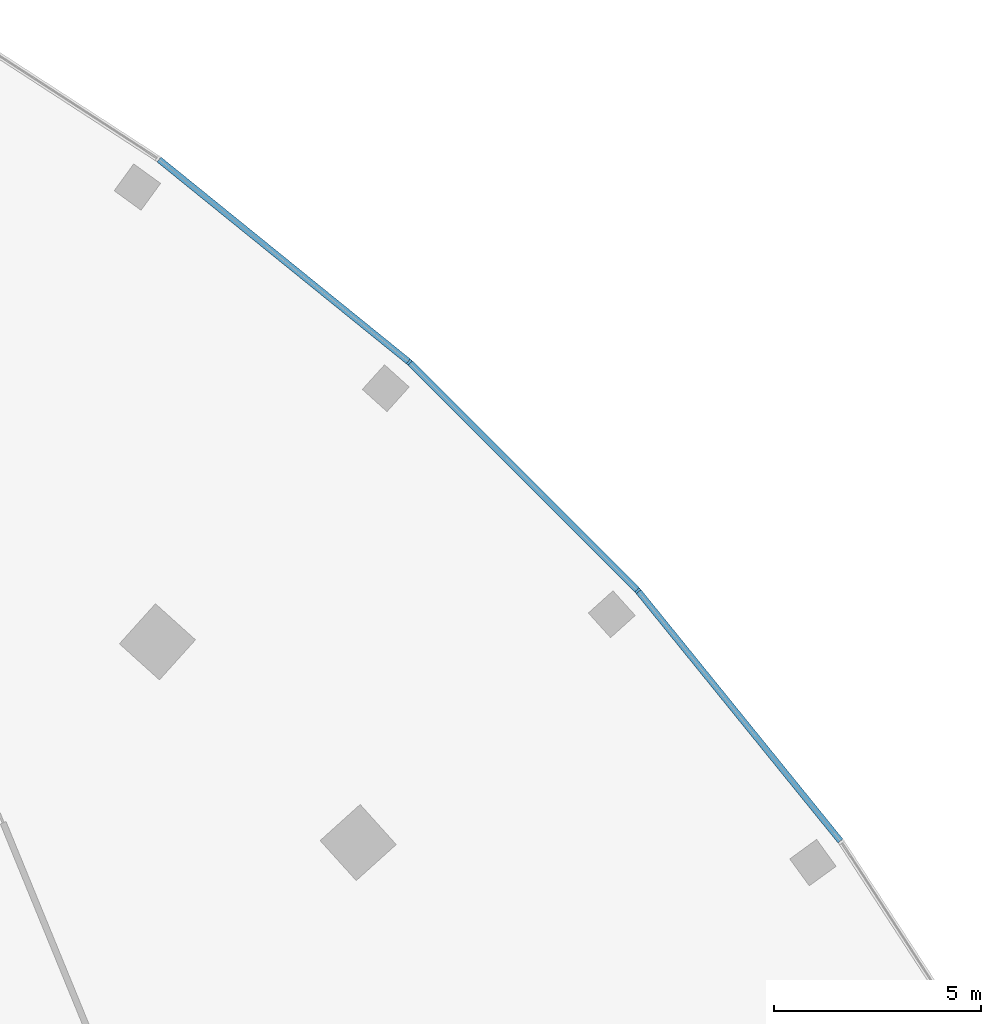
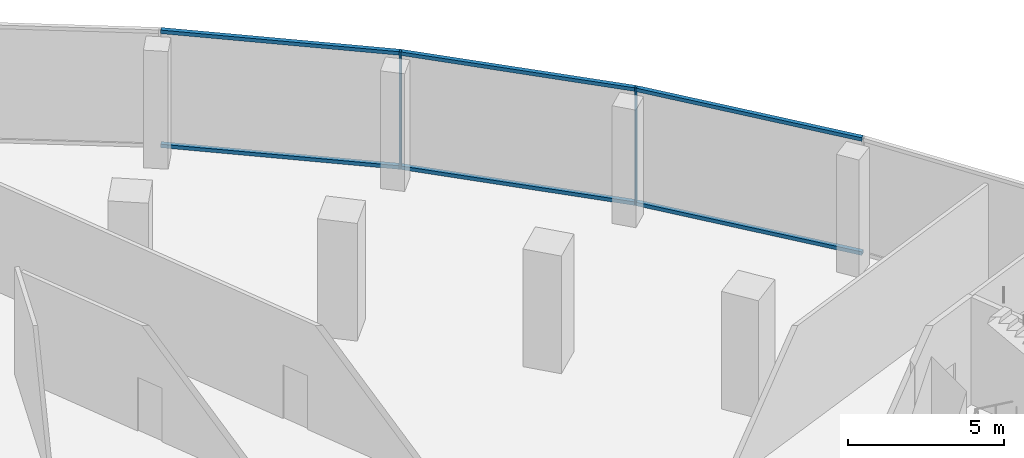
# One storey, part 13 of 39: 8 members, 1 element without a shape of its own.
"""IFC4 building model written with IfcOpenShell, lengths in metres."""

from ifc_helpers import new_model, si_unit, direction, frame, origin, origin_2d, place, context, subcontext, project, spatial, rectangle, extrude, material, layer, layer_set, material_profile, profile_set, type_object, element, aggregate, save


model = new_model("IFC4")

# Units and contexts
model_context = context("Model", 3, precision=1e-05, world=origin(), true_north=direction((0.0, 1.0)))
body_context = subcontext(model_context, "Body", "Model", "MODEL_VIEW")
ifc_project = project(units=[si_unit("LENGTHUNIT", "METRE"), si_unit("AREAUNIT", "SQUARE_METRE"), si_unit("VOLUMEUNIT", "CUBIC_METRE"), si_unit("PLANEANGLEUNIT", "RADIAN"), si_unit("MASSUNIT", "GRAM", prefix="KILO")], contexts=[model_context])

# Site, building, storey
site_placement = place(None, origin())
site = spatial("IfcSite", under=ifc_project, at=site_placement, CompositionType="ELEMENT")
building_placement = place(site_placement, origin())
building = spatial("IfcBuilding", under=site, at=building_placement, Name="Stone Belt Terrace Tower", CompositionType="ELEMENT")
storey_placement = place(building_placement, frame((0.0, 0.0, 20.800048828125)))
storey = spatial("IfcBuildingStorey", under=building, at=storey_placement, Name="L04", CompositionType="ELEMENT", Elevation=20.800048828125)

# Curtain wall, members
ifc_material = material(Name="Aluminium 6063-T6 anodised frame", Category="aluminium")
ifc_layer = layer(ifc_material, 0.14990234375)
ifc_layer_set = layer_set([ifc_layer], Name="CW-D podium shopfront")
curtain_wall_type = type_object("IfcCurtainWallType", Name="CW-D podium shopfront", PredefinedType="NOTDEFINED", material=ifc_layer_set)
curtain_wall_placement = place(storey_placement, origin())
curtain_wall = element("IfcCurtainWall", 1, at=curtain_wall_placement, inside=storey, type_object=curtain_wall_type, Name="CW-D convex face L04", PredefinedType="NOTDEFINED")
ifc_material_profile_1 = material_profile(ifc_material, rectangle(XDim=0.14990234375, YDim=0.06005859375, at=origin_2d()), Name="Aluminium 6063-T6 60x150")
ifc_profile_set_1 = profile_set([ifc_material_profile_1], Name="Aluminium 6063-T6 anodised frame")
member_type_1 = type_object("IfcMemberType", Name="CW-D mullion 60 x 150", PredefinedType="MULLION", material=ifc_profile_set_1)
member_1_placement = place(storey_placement, frame((55.420166015625, 49.900390625, 0.0), z_axis=(0.0, 0.0, 1.0), x_axis=(-0.743144825477, -0.669130606359, 0.0)))
member_1 = element("IfcMember", 2, at=member_1_placement, type_object=member_type_1, Name="CW-D mullion 5", PredefinedType="MULLION", context=body_context, shape_type="SweptSolid", body=[
    extrude(rectangle(XDim=0.14990234375, YDim=0.06005859375, at=origin_2d()), origin(), (0.0, 0.0, 1.0), 4.599853515625),
])
member_2_placement = place(storey_placement, frame((49.900390625, 55.420166015625, 0.0), z_axis=(0.0, 0.0, 1.0), x_axis=(-0.669130606359, -0.743144825477, 0.0)))
member_2 = element("IfcMember", 3, at=member_2_placement, type_object=member_type_1, Name="CW-D mullion 6", PredefinedType="MULLION", context=body_context, shape_type="SweptSolid", body=[
    extrude(rectangle(XDim=0.14990234375, YDim=0.06005859375, at=origin_2d()), origin(), (0.0, 0.0, 1.0), 4.599853515625),
])
ifc_material_profile_2 = material_profile(ifc_material, rectangle(XDim=0.14990234375, YDim=0.139892578125, at=origin_2d()), Name="Aluminium 6063-T6 150x140")
ifc_profile_set_2 = profile_set([ifc_material_profile_2], Name="Aluminium 6063-T6 anodised frame")
member_type_2 = type_object("IfcMemberType", Name="CW-D transom 140 x 150", PredefinedType="USERDEFINED", material=ifc_profile_set_2)
member_3_placement = place(storey_placement, frame((60.311279296875, 43.860595703125, 0.070068359375), z_axis=(-0.62932800712, 0.777139794023, 0.0), x_axis=(-0.777139794023, -0.62932800712, 0.0)))
member_3 = element("IfcMember", 4, at=member_3_placement, type_object=member_type_2, Name="CW-D transom 4.1", ObjectType="TRANSOM", PredefinedType="USERDEFINED", context=body_context, shape_type="SweptSolid", body=[
    extrude(rectangle(XDim=0.14990234375, YDim=0.139892578125, at=origin_2d()), origin(), (0.0, 0.0, 1.0), 7.73828125),
])
member_4_placement = place(storey_placement, frame((60.311279296875, 43.860595703125, 4.530029296875), z_axis=(-0.62932800712, 0.777139794023, 0.0), x_axis=(-0.777139794023, -0.62932800712, 0.0)))
member_4 = element("IfcMember", 5, at=member_4_placement, type_object=member_type_2, Name="CW-D transom 4.2", ObjectType="TRANSOM", PredefinedType="USERDEFINED", context=body_context, shape_type="SweptSolid", body=[
    extrude(rectangle(XDim=0.14990234375, YDim=0.139892578125, at=origin_2d()), origin(), (0.0, 0.0, 1.0), 7.73828125),
])
member_5_placement = place(storey_placement, frame((55.396240234375, 49.924560546875, 0.070068359375), z_axis=(-0.707106781187, 0.707106781187, 0.0), x_axis=(-0.707106781187, -0.707106781187, 0.0)))
member_5 = element("IfcMember", 6, at=member_5_placement, type_object=member_type_2, Name="CW-D transom 5.1", ObjectType="TRANSOM", PredefinedType="USERDEFINED", context=body_context, shape_type="SweptSolid", body=[
    extrude(rectangle(XDim=0.14990234375, YDim=0.139892578125, at=origin_2d()), origin(), (0.0, 0.0, 1.0), 7.738037109375),
])
member_6_placement = place(storey_placement, frame((55.396240234375, 49.924560546875, 4.530029296875), z_axis=(-0.707106781187, 0.707106781187, 0.0), x_axis=(-0.707106781187, -0.707106781187, 0.0)))
member_6 = element("IfcMember", 7, at=member_6_placement, type_object=member_type_2, Name="CW-D transom 5.2", ObjectType="TRANSOM", PredefinedType="USERDEFINED", context=body_context, shape_type="SweptSolid", body=[
    extrude(rectangle(XDim=0.14990234375, YDim=0.139892578125, at=origin_2d()), origin(), (0.0, 0.0, 1.0), 7.738037109375),
])
member_7_placement = place(storey_placement, frame((49.874267578125, 55.44140625, 0.070068359375), z_axis=(-0.777139794023, 0.62932800712, 0.0), x_axis=(-0.62932800712, -0.777139794023, 0.0)))
member_7 = element("IfcMember", 8, at=member_7_placement, type_object=member_type_2, Name="CW-D transom 6.1", ObjectType="TRANSOM", PredefinedType="USERDEFINED", context=body_context, shape_type="SweptSolid", body=[
    extrude(rectangle(XDim=0.14990234375, YDim=0.139892578125, at=origin_2d()), origin(), (0.0, 0.0, 1.0), 7.73828125),
])
member_8_placement = place(storey_placement, frame((49.874267578125, 55.44140625, 4.530029296875), z_axis=(-0.777139794023, 0.62932800712, 0.0), x_axis=(-0.62932800712, -0.777139794023, 0.0)))
member_8 = element("IfcMember", 9, at=member_8_placement, type_object=member_type_2, Name="CW-D transom 6.2", ObjectType="TRANSOM", PredefinedType="USERDEFINED", context=body_context, shape_type="SweptSolid", body=[
    extrude(rectangle(XDim=0.14990234375, YDim=0.139892578125, at=origin_2d()), origin(), (0.0, 0.0, 1.0), 7.73828125),
])
aggregate(curtain_wall, [member_1, member_2, member_3, member_4, member_5, member_6, member_7, member_8])

save(model, "model.ifc")
